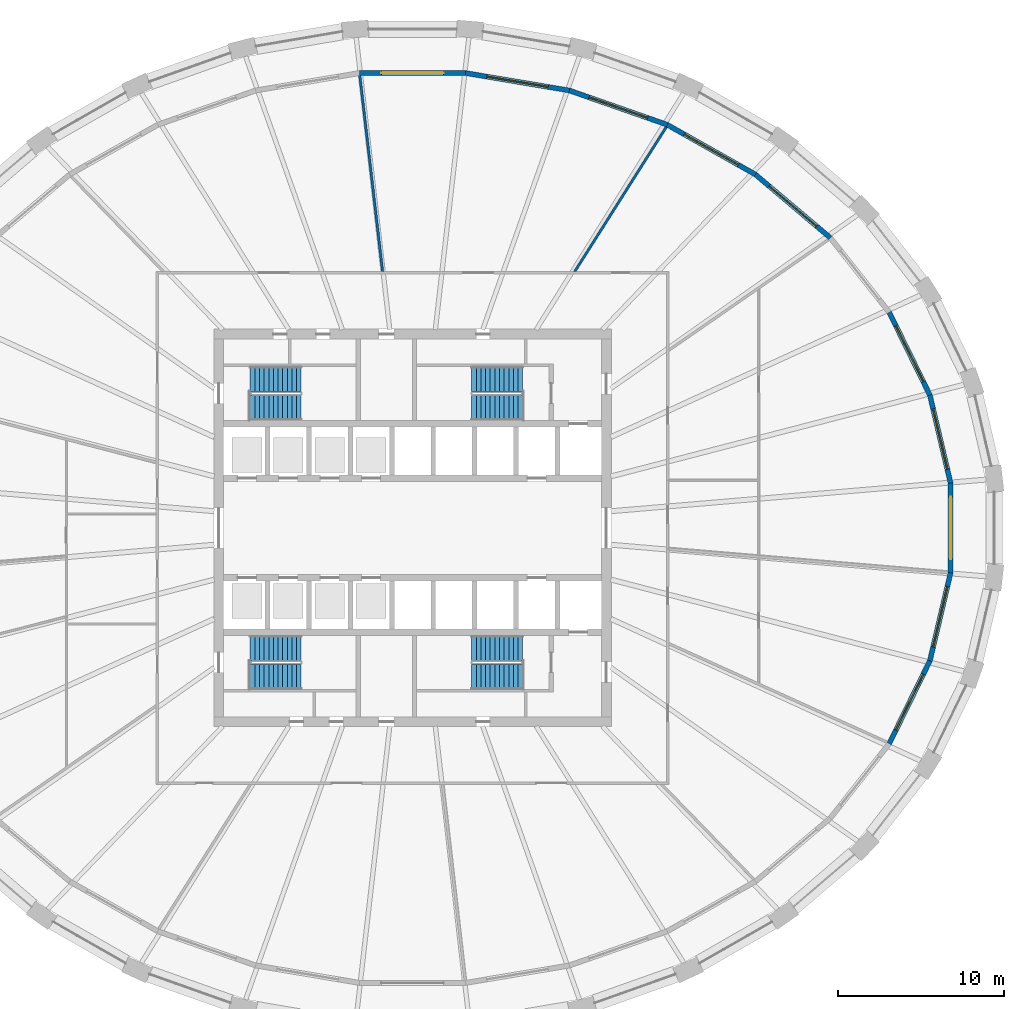
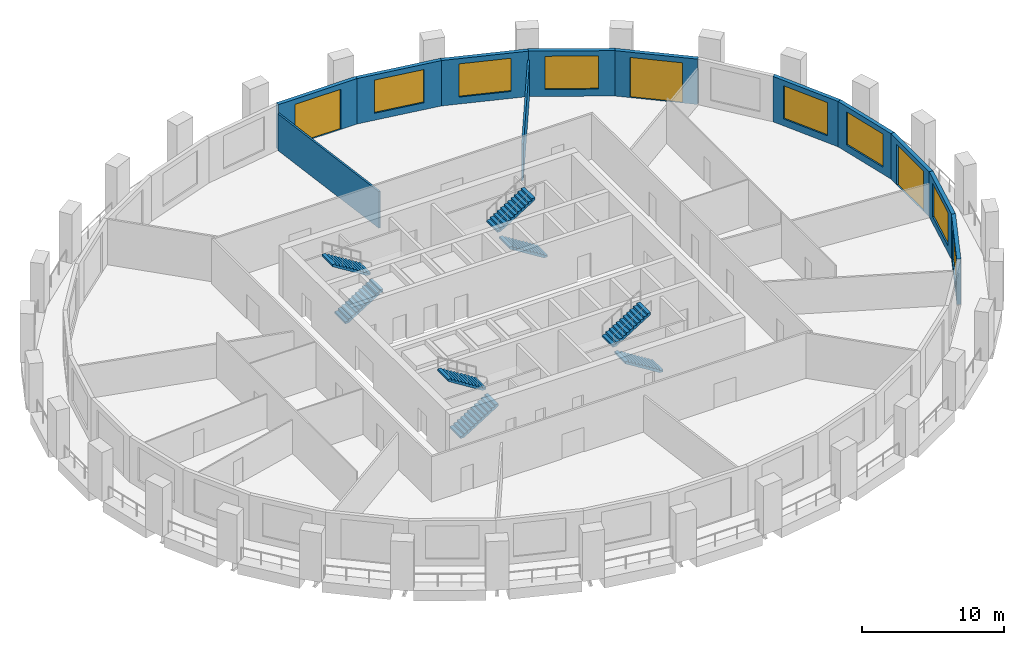
# One storey, part 7 of 10: 12 walls, 8 stair flights, 7 windows, 3 doors, 10 openings, 4 elements without a shape of their own.
"""IFC4 building model written with IfcOpenShell, lengths in metres."""

from ifc_helpers import new_model, si_unit, direction, frame, frame_2d, origin, place, context, subcontext, project, spatial, polyline, rectangle, outline, extrude, material, layer, layer_set, type_object, element, fill, aggregate, save


model = new_model("IFC4")

# Units and contexts
model_context = context("Model", 3, precision=1e-05, world=origin(), true_north=direction((0.0, 1.0)))
body_context = subcontext(model_context, "Body", "Model", "MODEL_VIEW")
ifc_project = project(units=[si_unit("LENGTHUNIT", "METRE"), si_unit("AREAUNIT", "SQUARE_METRE"), si_unit("VOLUMEUNIT", "CUBIC_METRE"), si_unit("PLANEANGLEUNIT", "RADIAN"), si_unit("MASSUNIT", "GRAM", prefix="KILO")], contexts=[model_context])

# Site, building, storey
site_placement = place(None, origin())
site = spatial("IfcSite", under=ifc_project, at=site_placement, CompositionType="ELEMENT")
building_placement = place(site_placement, origin())
building = spatial("IfcBuilding", under=site, at=building_placement, Name="Halqa Exchange Tower", CompositionType="ELEMENT")
storey_placement = place(building_placement, frame((0.0, 0.0, 108.699951171875)))
storey = spatial("IfcBuildingStorey", under=building, at=storey_placement, Name="L24", CompositionType="ELEMENT", Elevation=108.699951171875)

# Walls
ifc_material_1 = material(Name="Fire-rated gypsum board")
ifc_layer_1 = layer(ifc_material_1, 0.14990234375)
ifc_layer_set_1 = layer_set([ifc_layer_1], Name="Fire-rated gypsum board")
wall_type_1 = type_object("IfcWallType", Name="Fire partition EI 60 150", PredefinedType="PARTITIONING", material=ifc_layer_set_1)
wall_1_placement = place(storey_placement, frame((-1.8076171875, 15.466552734375, 0.0), z_axis=(0.0, 0.0, 1.0), x_axis=(-0.115425226741, 0.993316171736, 0.0)))
element("IfcWall", 1, at=wall_1_placement, inside=storey, type_object=wall_type_1, Name="L24-PWL-013", PredefinedType="PARTITIONING", context=body_context, shape_type="SweptSolid", body=[
    extrude(outline(polyline([(0.0, -0.074951171875), (1.98681640625, -0.074951171875), (3.973388671875, -0.074951171875), (5.960205078125, -0.074951171875), (7.947021484375, -0.074951171875), (9.93359375, -0.074951171875), (11.92041015625, -0.074951171875), (11.925048828125, -0.03466796875), (11.925048828125, 0.074951171875), (9.9404296875, 0.074951171875), (7.955810546875, 0.074951171875), (5.97119140625, 0.074951171875), (3.986572265625, 0.074951171875), (2.001953125, 0.074951171875), (0.017333984375, 0.074951171875), (0.0, -0.0732421875), (0.0, -0.074951171875)])), origin(), (0.0, 0.0, 1.0), 3.14697265625),
])
wall_2_placement = place(storey_placement, frame((9.76220703125, 15.43505859375, 0.0), z_axis=(0.0, 0.0, 1.0), x_axis=(0.535189090909, 0.844732287161, 0.0)))
element("IfcWall", 2, at=wall_2_placement, inside=storey, type_object=wall_type_1, Name="L24-PWL-015", PredefinedType="PARTITIONING", context=body_context, shape_type="SweptSolid", body=[
    extrude(outline(polyline([(10.3857421875, -0.074951171875), (10.3857421875, -0.0693359375), (10.382080078125, 0.003662109375), (10.365478515625, 0.074951171875), (8.637939453125, 0.074951171875), (6.910400390625, 0.074951171875), (5.182861328125, 0.074951171875), (3.455078125, 0.074951171875), (1.7275390625, 0.074951171875), (0.0, 0.074951171875), (0.0, 0.07470703125), (0.0947265625, -0.074951171875), (1.809814453125, -0.074951171875), (3.525146484375, -0.074951171875), (5.240234375, -0.074951171875), (6.955322265625, -0.074951171875), (8.670654296875, -0.074951171875), (10.3857421875, -0.074951171875)])), origin(), (0.0, 0.0, 1.0), 3.14697265625),
])

# Wall, opening, window
ifc_material_2 = material(Name="Limestone cladding", Category="masonry")
ifc_layer_2 = layer(ifc_material_2, 0.0400390625)
ifc_material_3 = material(Name="Ventilated cavity")
ifc_layer_3 = layer(ifc_material_3, 0.030029296875, ventilated=True)
ifc_material_4 = material(Name="Mineral wool insulation")
ifc_layer_4 = layer(ifc_material_4, 0.10009765625)
ifc_material_5 = material(Name="Concrete C30/37", Category="concrete")
ifc_layer_5 = layer(ifc_material_5, 0.10009765625)
ifc_material_6 = material(Name="Internal plaster")
ifc_layer_6 = layer(ifc_material_6, 0.030029296875)
ifc_layer_set_2 = layer_set([ifc_layer_2, ifc_layer_3, ifc_layer_4, ifc_layer_5, ifc_layer_6], Name="Stone-faced insulated wall 300")
wall_type_2 = type_object("IfcWallType", Name="Stone-faced insulated wall 300", PredefinedType="STANDARD", material=ifc_layer_set_2)
wall_3_placement = place(storey_placement, frame((32.483154296875, 2.707763671875, 0.0), z_axis=(0.0, 0.0, 1.0), x_axis=(-0.229193964616, 0.973380771632, 0.0)))
wall_3 = element("IfcWall", 3, at=wall_3_placement, inside=storey, type_object=wall_type_2, Name="Glass-line wall 1", PredefinedType="STANDARD", context=body_context, shape_type="SweptSolid", body=[
    extrude(outline(polyline([(-0.017333984375, -0.14990234375), (5.472900390625, -0.14990234375), (5.439208984375, 0.14990234375), (0.017333984375, 0.14990234375), (-0.017333984375, -0.14990234375)])), origin(), (0.0, 0.0, 1.0), 3.900146484375),
])
opening_1_placement = place(wall_3_placement, frame((0.85302734375, 0.0, 0.60009765625)))
opening_1 = element("IfcOpeningElement", 4, at=opening_1_placement, cuts=wall_3, Name="Opening W-F2-01", PredefinedType="OPENING", context=body_context, shape_type="SweptSolid", body=[
    extrude(rectangle(XDim=3.75, YDim=2.85009765625, at=frame_2d((1.875, 1.425048828125))), frame((0.0, 0.162109375, 0.0), z_axis=(0.0, -1.0, 0.0), x_axis=(1.0, 0.0, 0.0)), (0.0, 0.0, 1.0), 0.323974609375),
])
ifc_material_7 = material(Name="Clear low-emissivity glass in aluminium frame", Category="aluminium")
window_type = type_object("IfcWindowType", Name="Fixed clear glazed window 3750 x 2850", PartitioningType="TRIPLE_PANEL_VERTICAL", PredefinedType="WINDOW", material=ifc_material_7)
window_1_placement = place(opening_1_placement, origin())
window_1 = element("IfcWindow", 5, at=window_1_placement, inside=storey, type_object=window_type, Name="Window 2", OverallHeight=2.85009765625, OverallWidth=3.75, PartitioningType="TRIPLE_PANEL_VERTICAL", PredefinedType="WINDOW", context=body_context, shape_type="SweptSolid", body=[
    extrude(rectangle(XDim=3.75, YDim=2.85009765625, at=frame_2d((1.875, 1.425048828125))), frame((0.0, 0.030029296875, 0.0), z_axis=(0.0, -1.0, 0.0), x_axis=(1.0, 0.0, 0.0)), (0.0, 0.0, 1.0), 0.06005859375),
])
fill(opening_1, window_1)

wall_4_placement = place(storey_placement, frame((31.232666015625, 8.0185546875, 0.0), z_axis=(0.0, 0.0, 1.0), x_axis=(-0.440238988749, 0.897880633929, 0.0)))
wall_4 = element("IfcWall", 6, at=wall_4_placement, inside=storey, type_object=wall_type_2, Name="Glass-line wall 2", PredefinedType="STANDARD", context=body_context, shape_type="SweptSolid", body=[
    extrude(outline(polyline([(-0.016845703125, -0.14990234375), (5.585693359375, -0.14990234375), (5.553466796875, 0.14990234375), (0.016845703125, 0.14990234375), (-0.016845703125, -0.14990234375)])), origin(), (0.0, 0.0, 1.0), 3.900146484375),
])
opening_2_placement = place(wall_4_placement, frame((0.90966796875, 0.0, 0.60009765625)))
opening_2 = element("IfcOpeningElement", 7, at=opening_2_placement, cuts=wall_4, Name="Opening W-F2-02", PredefinedType="OPENING", context=body_context, shape_type="SweptSolid", body=[
    extrude(rectangle(XDim=3.75, YDim=2.85009765625, at=frame_2d((1.875, 1.425048828125))), frame((0.0, 0.162109375, 0.0), z_axis=(0.0, -1.0, 0.0), x_axis=(1.0, 0.0, 0.0)), (0.0, 0.0, 1.0), 0.323974609375),
])
window_2_placement = place(opening_2_placement, origin())
window_2 = element("IfcWindow", 8, at=window_2_placement, inside=storey, type_object=window_type, Name="Window 2", OverallHeight=2.85009765625, OverallWidth=3.75, PartitioningType="TRIPLE_PANEL_VERTICAL", PredefinedType="WINDOW", context=body_context, shape_type="SweptSolid", body=[
    extrude(rectangle(XDim=3.75, YDim=2.85009765625, at=frame_2d((1.875, 1.425048828125))), frame((0.0, 0.030029296875, 0.0), z_axis=(0.0, -1.0, 0.0), x_axis=(1.0, 0.0, 0.0)), (0.0, 0.0, 1.0), 0.06005859375),
])
fill(opening_2, window_2)

# Wall, opening, door
wall_5_placement = place(storey_placement, frame((25.222900390625, 17.517822265625, 0.0), z_axis=(0.0, 0.0, 1.0), x_axis=(-0.763894031266, 0.645341699409, 0.0)))
wall_5 = element("IfcWall", 9, at=wall_5_placement, inside=storey, type_object=wall_type_2, Name="Glass-line wall 4", PredefinedType="STANDARD", context=body_context, shape_type="SweptSolid", body=[
    extrude(outline(polyline([(-0.01513671875, -0.14990234375), (5.93896484375, -0.14990234375), (5.91064453125, 0.14990234375), (0.01513671875, 0.14990234375), (-0.01513671875, -0.14990234375)])), origin(), (0.0, 0.0, 1.0), 3.900146484375),
])
opening_3_placement = place(wall_5_placement, frame((1.08740234375, 0.0, 0.0)))
opening_3 = element("IfcOpeningElement", 10, at=opening_3_placement, cuts=wall_5, Name="Opening LG-F2-01", PredefinedType="OPENING", context=body_context, shape_type="SweptSolid", body=[
    extrude(rectangle(XDim=3.75, YDim=3.449951171875, at=frame_2d((1.875, 1.72509765625))), frame((0.0, 0.162109375, 0.0), z_axis=(0.0, -1.0, 0.0), x_axis=(1.0, 0.0, 0.0)), (0.0, 0.0, 1.0), 0.323974609375),
])
door_type = type_object("IfcDoorType", Name="Glazed sliding loggia door 3750 x 3450", OperationType="DOUBLE_DOOR_SLIDING", PredefinedType="DOOR", material=ifc_material_7)
door_1_placement = place(opening_3_placement, origin())
door_1 = element("IfcDoor", 11, at=door_1_placement, inside=storey, type_object=door_type, Name="Loggia door 1", OperationType="DOUBLE_DOOR_SLIDING", OverallHeight=3.449951171875, OverallWidth=3.75, PredefinedType="DOOR", context=body_context, shape_type="SweptSolid", body=[
    extrude(rectangle(XDim=3.75, YDim=3.449951171875, at=frame_2d((1.875, 1.72509765625))), frame((0.0, 0.02490234375, 0.0), z_axis=(0.0, -1.0, 0.0), x_axis=(1.0, 0.0, 0.0)), (0.0, 0.0, 1.0), 0.050048828125),
])
fill(opening_3, door_1)

# Wall, opening, window
wall_6_placement = place(storey_placement, frame((20.697021484375, 21.34130859375, 0.0), z_axis=(0.0, 0.0, 1.0), x_axis=(-0.870828448417, 0.491587035455, 0.0)))
wall_6 = element("IfcWall", 12, at=wall_6_placement, inside=storey, type_object=wall_type_2, Name="Glass-line wall 5", PredefinedType="STANDARD", context=body_context, shape_type="SweptSolid", body=[
    extrude(outline(polyline([(-0.01416015625, -0.14990234375), (6.1220703125, -0.14990234375), (6.09521484375, 0.14990234375), (0.01416015625, 0.14990234375), (-0.01416015625, -0.14990234375)])), origin(), (0.0, 0.0, 1.0), 3.900146484375),
])
opening_4_placement = place(wall_6_placement, frame((1.17919921875, 0.0, 0.60009765625)))
opening_4 = element("IfcOpeningElement", 13, at=opening_4_placement, cuts=wall_6, Name="Opening W-F2-05", PredefinedType="OPENING", context=body_context, shape_type="SweptSolid", body=[
    extrude(rectangle(XDim=3.75, YDim=2.85009765625, at=frame_2d((1.875, 1.425048828125))), frame((0.0, 0.162109375, 0.0), z_axis=(0.0, -1.0, 0.0), x_axis=(1.0, 0.0, 0.0)), (0.0, 0.0, 1.0), 0.323974609375),
])
window_3_placement = place(opening_4_placement, origin())
window_3 = element("IfcWindow", 14, at=window_3_placement, inside=storey, type_object=window_type, Name="Window 2", OverallHeight=2.85009765625, OverallWidth=3.75, PartitioningType="TRIPLE_PANEL_VERTICAL", PredefinedType="WINDOW", context=body_context, shape_type="SweptSolid", body=[
    extrude(rectangle(XDim=3.75, YDim=2.85009765625, at=frame_2d((1.875, 1.425048828125))), frame((0.0, 0.030029296875, 0.0), z_axis=(0.0, -1.0, 0.0), x_axis=(1.0, 0.0, 0.0)), (0.0, 0.0, 1.0), 0.06005859375),
])
fill(opening_4, window_3)

wall_7_placement = place(storey_placement, frame((15.37744140625, 24.34423828125, 0.0), z_axis=(0.0, 0.0, 1.0), x_axis=(-0.943866868202, 0.330326104193, 0.0)))
wall_7 = element("IfcWall", 15, at=wall_7_placement, inside=storey, type_object=wall_type_2, Name="Glass-line wall 6", PredefinedType="STANDARD", context=body_context, shape_type="SweptSolid", body=[
    extrude(outline(polyline([(-0.013427734375, -0.14990234375), (6.272705078125, -0.14990234375), (6.247314453125, 0.14990234375), (0.013427734375, 0.14990234375), (-0.013427734375, -0.14990234375)])), origin(), (0.0, 0.0, 1.0), 3.900146484375),
])
opening_5_placement = place(wall_7_placement, frame((1.255126953125, 0.0, 0.60009765625)))
opening_5 = element("IfcOpeningElement", 16, at=opening_5_placement, cuts=wall_7, Name="Opening W-F2-06", PredefinedType="OPENING", context=body_context, shape_type="SweptSolid", body=[
    extrude(rectangle(XDim=3.75, YDim=2.85009765625, at=frame_2d((1.875, 1.425048828125))), frame((0.0, 0.162109375, 0.0), z_axis=(0.0, -1.0, 0.0), x_axis=(1.0, 0.0, 0.0)), (0.0, 0.0, 1.0), 0.323974609375),
])
window_4_placement = place(opening_5_placement, origin())
window_4 = element("IfcWindow", 17, at=window_4_placement, inside=storey, type_object=window_type, Name="Window 2", OverallHeight=2.85009765625, OverallWidth=3.75, PartitioningType="TRIPLE_PANEL_VERTICAL", PredefinedType="WINDOW", context=body_context, shape_type="SweptSolid", body=[
    extrude(rectangle(XDim=3.75, YDim=2.85009765625, at=frame_2d((1.875, 1.425048828125))), frame((0.0, 0.030029296875, 0.0), z_axis=(0.0, -1.0, 0.0), x_axis=(1.0, 0.0, 0.0)), (0.0, 0.0, 1.0), 0.06005859375),
])
fill(opening_5, window_4)

wall_8_placement = place(storey_placement, frame((9.46875, 26.412109375, 0.0), z_axis=(0.0, 0.0, 1.0), x_axis=(-0.986178310488, 0.165687476666, 0.0)))
wall_8 = element("IfcWall", 18, at=wall_8_placement, inside=storey, type_object=wall_type_2, Name="Glass-line wall 7", PredefinedType="STANDARD", context=body_context, shape_type="SweptSolid", body=[
    extrude(outline(polyline([(-0.0126953125, -0.14990234375), (6.3720703125, -0.14990234375), (6.34716796875, 0.14990234375), (0.0126953125, 0.14990234375), (-0.0126953125, -0.14990234375)])), origin(), (0.0, 0.0, 1.0), 3.900146484375),
])
opening_6_placement = place(wall_8_placement, frame((1.3046875, 0.0, 0.60009765625)))
opening_6 = element("IfcOpeningElement", 19, at=opening_6_placement, cuts=wall_8, Name="Opening W-F2-07", PredefinedType="OPENING", context=body_context, shape_type="SweptSolid", body=[
    extrude(rectangle(XDim=3.75, YDim=2.85009765625, at=frame_2d((1.875, 1.425048828125))), frame((0.0, 0.162109375, 0.0), z_axis=(0.0, -1.0, 0.0), x_axis=(1.0, 0.0, 0.0)), (0.0, 0.0, 1.0), 0.323974609375),
])
window_5_placement = place(opening_6_placement, origin())
window_5 = element("IfcWindow", 20, at=window_5_placement, inside=storey, type_object=window_type, Name="Window 2", OverallHeight=2.85009765625, OverallWidth=3.75, PartitioningType="TRIPLE_PANEL_VERTICAL", PredefinedType="WINDOW", context=body_context, shape_type="SweptSolid", body=[
    extrude(rectangle(XDim=3.75, YDim=2.85009765625, at=frame_2d((1.875, 1.425048828125))), frame((0.0, 0.030029296875, 0.0), z_axis=(0.0, -1.0, 0.0), x_axis=(1.0, 0.0, 0.0)), (0.0, 0.0, 1.0), 0.06005859375),
])
fill(opening_6, window_5)

# Wall, opening, door
wall_9_placement = place(storey_placement, frame((3.197021484375, 27.4658203125, 0.0), z_axis=(0.0, 0.0, 1.0), x_axis=(-1.0, 0.0, 0.0)))
wall_9 = element("IfcWall", 21, at=wall_9_placement, inside=storey, type_object=wall_type_2, Name="Glass-line wall 8", PredefinedType="STANDARD", context=body_context, shape_type="SweptSolid", body=[
    extrude(outline(polyline([(-0.012451171875, -0.14990234375), (6.406494140625, -0.14990234375), (6.381591796875, 0.14990234375), (0.012451171875, 0.14990234375), (-0.012451171875, -0.14990234375)])), origin(), (0.0, 0.0, 1.0), 3.900146484375),
])
opening_7_placement = place(wall_9_placement, frame((1.322021484375, 0.0, 0.0)))
opening_7 = element("IfcOpeningElement", 22, at=opening_7_placement, cuts=wall_9, Name="Opening LG-F2-02", PredefinedType="OPENING", context=body_context, shape_type="SweptSolid", body=[
    extrude(rectangle(XDim=3.75, YDim=3.449951171875, at=frame_2d((1.875, 1.72509765625))), frame((0.0, 0.162109375, 0.0), z_axis=(0.0, -1.0, 0.0), x_axis=(1.0, 0.0, 0.0)), (0.0, 0.0, 1.0), 0.323974609375),
])
door_2_placement = place(opening_7_placement, origin())
door_2 = element("IfcDoor", 23, at=door_2_placement, inside=storey, type_object=door_type, Name="Loggia door 2", OperationType="DOUBLE_DOOR_SLIDING", OverallHeight=3.449951171875, OverallWidth=3.75, PredefinedType="DOOR", context=body_context, shape_type="SweptSolid", body=[
    extrude(rectangle(XDim=3.75, YDim=3.449951171875, at=frame_2d((1.875, 1.72509765625))), frame((0.0, 0.02490234375, 0.0), z_axis=(0.0, -1.0, 0.0), x_axis=(1.0, 0.0, 0.0)), (0.0, 0.0, 1.0), 0.050048828125),
])
fill(opening_7, door_2)

# Wall, opening, window
wall_10_placement = place(storey_placement, frame((28.78076171875, -13.019287109375, 0.0), z_axis=(0.0, 0.0, 1.0), x_axis=(0.440238988749, 0.897880633929, 0.0)))
wall_10 = element("IfcWall", 24, at=wall_10_placement, inside=storey, type_object=wall_type_2, Name="Glass-line wall 30", PredefinedType="STANDARD", context=body_context, shape_type="SweptSolid", body=[
    extrude(outline(polyline([(-0.01611328125, -0.14990234375), (5.58642578125, -0.14990234375), (5.552734375, 0.14990234375), (0.01611328125, 0.14990234375), (-0.01611328125, -0.14990234375)])), origin(), (0.0, 0.0, 1.0), 3.900146484375),
])
opening_8_placement = place(wall_10_placement, frame((0.90966796875, 0.0, 0.60009765625)))
opening_8 = element("IfcOpeningElement", 25, at=opening_8_placement, cuts=wall_10, Name="Opening W-F2-30", PredefinedType="OPENING", context=body_context, shape_type="SweptSolid", body=[
    extrude(rectangle(XDim=3.75, YDim=2.85009765625, at=frame_2d((1.875, 1.425048828125))), frame((0.0, 0.162109375, 0.0), z_axis=(0.0, -1.0, 0.0), x_axis=(1.0, 0.0, 0.0)), (0.0, 0.0, 1.0), 0.323974609375),
])
window_6_placement = place(opening_8_placement, origin())
window_6 = element("IfcWindow", 26, at=window_6_placement, inside=storey, type_object=window_type, Name="Window 2", OverallHeight=2.85009765625, OverallWidth=3.75, PartitioningType="TRIPLE_PANEL_VERTICAL", PredefinedType="WINDOW", context=body_context, shape_type="SweptSolid", body=[
    extrude(rectangle(XDim=3.75, YDim=2.85009765625, at=frame_2d((1.875, 1.425048828125))), frame((0.0, 0.030029296875, 0.0), z_axis=(0.0, -1.0, 0.0), x_axis=(1.0, 0.0, 0.0)), (0.0, 0.0, 1.0), 0.06005859375),
])
fill(opening_8, window_6)

wall_11_placement = place(storey_placement, frame((31.232666015625, -8.0185546875, 0.0), z_axis=(0.0, 0.0, 1.0), x_axis=(0.229193964616, 0.973380771632, 0.0)))
wall_11 = element("IfcWall", 27, at=wall_11_placement, inside=storey, type_object=wall_type_2, Name="Glass-line wall 31", PredefinedType="STANDARD", context=body_context, shape_type="SweptSolid", body=[
    extrude(outline(polyline([(-0.016845703125, -0.14990234375), (5.473388671875, -0.14990234375), (5.438720703125, 0.14990234375), (0.016845703125, 0.14990234375), (-0.016845703125, -0.14990234375)])), origin(), (0.0, 0.0, 1.0), 3.900146484375),
])
opening_9_placement = place(wall_11_placement, frame((0.85302734375, 0.0, 0.60009765625)))
opening_9 = element("IfcOpeningElement", 28, at=opening_9_placement, cuts=wall_11, Name="Opening W-F2-31", PredefinedType="OPENING", context=body_context, shape_type="SweptSolid", body=[
    extrude(rectangle(XDim=3.75, YDim=2.85009765625, at=frame_2d((1.875, 1.425048828125))), frame((0.0, 0.162109375, 0.0), z_axis=(0.0, -1.0, 0.0), x_axis=(1.0, 0.0, 0.0)), (0.0, 0.0, 1.0), 0.323974609375),
])
window_7_placement = place(opening_9_placement, origin())
window_7 = element("IfcWindow", 29, at=window_7_placement, inside=storey, type_object=window_type, Name="Window 2", OverallHeight=2.85009765625, OverallWidth=3.75, PartitioningType="TRIPLE_PANEL_VERTICAL", PredefinedType="WINDOW", context=body_context, shape_type="SweptSolid", body=[
    extrude(rectangle(XDim=3.75, YDim=2.85009765625, at=frame_2d((1.875, 1.425048828125))), frame((0.0, 0.030029296875, 0.0), z_axis=(0.0, -1.0, 0.0), x_axis=(1.0, 0.0, 0.0)), (0.0, 0.0, 1.0), 0.06005859375),
])
fill(opening_9, window_7)

# Wall, opening, door
wall_12_placement = place(storey_placement, frame((32.483154296875, -2.707763671875, 0.0), z_axis=(0.0, 0.0, 1.0), x_axis=(0.0, 1.0, 0.0)))
wall_12 = element("IfcWall", 30, at=wall_12_placement, inside=storey, type_object=wall_type_2, Name="Glass-line wall 32", PredefinedType="STANDARD", context=body_context, shape_type="SweptSolid", body=[
    extrude(outline(polyline([(-0.017333984375, -0.14990234375), (5.432861328125, -0.14990234375), (5.398193359375, 0.14990234375), (0.017333984375, 0.14990234375), (-0.017333984375, -0.14990234375)])), origin(), (0.0, 0.0, 1.0), 3.900146484375),
])
opening_10_placement = place(wall_12_placement, frame((0.832763671875, 0.0, 0.0)))
opening_10 = element("IfcOpeningElement", 31, at=opening_10_placement, cuts=wall_12, Name="Opening LG-F2-08", PredefinedType="OPENING", context=body_context, shape_type="SweptSolid", body=[
    extrude(rectangle(XDim=3.75, YDim=3.449951171875, at=frame_2d((1.875, 1.72509765625))), frame((0.0, 0.162109375, 0.0), z_axis=(0.0, -1.0, 0.0), x_axis=(1.0, 0.0, 0.0)), (0.0, 0.0, 1.0), 0.323974609375),
])
door_3_placement = place(opening_10_placement, origin())
door_3 = element("IfcDoor", 32, at=door_3_placement, inside=storey, type_object=door_type, Name="Loggia door 8", OperationType="DOUBLE_DOOR_SLIDING", OverallHeight=3.449951171875, OverallWidth=3.75, PredefinedType="DOOR", context=body_context, shape_type="SweptSolid", body=[
    extrude(rectangle(XDim=3.75, YDim=3.449951171875, at=frame_2d((1.875, 1.72509765625))), frame((0.0, 0.02490234375, 0.0), z_axis=(0.0, -1.0, 0.0), x_axis=(1.0, 0.0, 0.0)), (0.0, 0.0, 1.0), 0.050048828125),
])
fill(opening_10, door_3)

# Stair, stair flights
stair_type = type_object("IfcStairType", Name="Exit stair 1500 wide", PredefinedType="HALF_TURN_STAIR", material=ifc_material_5)
stair_1_placement = place(storey_placement, origin())
stair_1 = element("IfcStair", 33, at=stair_1_placement, inside=storey, type_object=stair_type, Name="Exit stair ST1", PredefinedType="HALF_TURN_STAIR")
stair_flight_type = type_object("IfcStairFlightType", Name="Stair flight 1500 wide", PredefinedType="STRAIGHT", material=ifc_material_5)
stair_flight_1_placement = place(storey_placement, frame((-9.800048828125, 7.25, 0.0), z_axis=(0.0, 0.0, 1.0), x_axis=(1.0, 0.0, 0.0)))
stair_flight_1 = element("IfcStairFlight", 34, at=stair_flight_1_placement, type_object=stair_flight_type, Name="ST1 flight 1", NumberOfRisers=12, NumberOfTreads=11, PredefinedType="STRAIGHT", RiserHeight=0.175, TreadLength=0.28, context=body_context, shape_type="SweptSolid", body=[
    extrude(outline(polyline([(0.0, 0.0), (0.0, 0.175048828125), (0.280029296875, 0.175048828125), (0.280029296875, 0.35009765625), (0.56005859375, 0.35009765625), (0.56005859375, 0.52490234375), (0.840087890625, 0.52490234375), (0.840087890625, 0.699951171875), (1.1201171875, 0.699951171875), (1.1201171875, 0.875), (1.39990234375, 0.875), (1.39990234375, 1.050048828125), (1.679931640625, 1.050048828125), (1.679931640625, 1.22509765625), (1.9599609375, 1.22509765625), (1.9599609375, 1.39990234375), (2.239990234375, 1.39990234375), (2.239990234375, 1.574951171875), (2.52001953125, 1.574951171875), (2.52001953125, 1.75), (2.800048828125, 1.75), (2.800048828125, 1.925048828125), (3.080078125, 1.925048828125), (3.080078125, 2.10009765625), (3.080078125, 1.748291015625), (0.28271484375, 0.0), (0.0, 0.0)])), frame((0.0, 0.75, 0.0), z_axis=(0.0, -1.0, 0.0), x_axis=(1.0, 0.0, 0.0)), (0.0, 0.0, 1.0), 1.5),
])
stair_flight_2_placement = place(storey_placement, frame((-6.719970703125, 9.0, 2.10009765625), z_axis=(0.0, 0.0, 1.0), x_axis=(-1.0, 0.0, 0.0)))
stair_flight_2 = element("IfcStairFlight", 35, at=stair_flight_2_placement, type_object=stair_flight_type, Name="ST1 flight 2", NumberOfRisers=12, NumberOfTreads=11, PredefinedType="STRAIGHT", RiserHeight=0.175, TreadLength=0.28, context=body_context, shape_type="SweptSolid", body=[
    extrude(outline(polyline([(0.0, 0.0), (0.0, 0.175048828125), (0.280029296875, 0.175048828125), (0.280029296875, 0.35009765625), (0.56005859375, 0.35009765625), (0.56005859375, 0.52490234375), (0.840087890625, 0.52490234375), (0.840087890625, 0.699951171875), (1.1201171875, 0.699951171875), (1.1201171875, 0.875), (1.39990234375, 0.875), (1.39990234375, 1.050048828125), (1.679931640625, 1.050048828125), (1.679931640625, 1.22509765625), (1.9599609375, 1.22509765625), (1.9599609375, 1.39990234375), (2.239990234375, 1.39990234375), (2.239990234375, 1.574951171875), (2.52001953125, 1.574951171875), (2.52001953125, 1.75), (2.800048828125, 1.75), (2.800048828125, 1.925048828125), (3.080078125, 1.925048828125), (3.080078125, 2.10009765625), (3.080078125, 1.748291015625), (0.28271484375, 0.0), (0.0, 0.0)])), frame((0.0, 0.75, 0.0), z_axis=(0.0, -1.0, 0.0), x_axis=(1.0, 0.0, 0.0)), (0.0, 0.0, 1.0), 1.5),
])
aggregate(stair_1, [stair_flight_1, stair_flight_2])

stair_2_placement = place(storey_placement, origin())
stair_2 = element("IfcStair", 36, at=stair_2_placement, inside=storey, type_object=stair_type, Name="Exit stair ST2", PredefinedType="HALF_TURN_STAIR")
stair_flight_3_placement = place(storey_placement, frame((6.64990234375, 7.25, 0.0), z_axis=(0.0, 0.0, 1.0), x_axis=(-1.0, 0.0, 0.0)))
stair_flight_3 = element("IfcStairFlight", 37, at=stair_flight_3_placement, type_object=stair_flight_type, Name="ST2 flight 1", NumberOfRisers=12, NumberOfTreads=11, PredefinedType="STRAIGHT", RiserHeight=0.175, TreadLength=0.28, context=body_context, shape_type="SweptSolid", body=[
    extrude(outline(polyline([(0.0, 0.0), (0.0, 0.175048828125), (0.280029296875, 0.175048828125), (0.280029296875, 0.35009765625), (0.56005859375, 0.35009765625), (0.56005859375, 0.52490234375), (0.840087890625, 0.52490234375), (0.840087890625, 0.699951171875), (1.1201171875, 0.699951171875), (1.1201171875, 0.875), (1.39990234375, 0.875), (1.39990234375, 1.050048828125), (1.679931640625, 1.050048828125), (1.679931640625, 1.22509765625), (1.9599609375, 1.22509765625), (1.9599609375, 1.39990234375), (2.239990234375, 1.39990234375), (2.239990234375, 1.574951171875), (2.52001953125, 1.574951171875), (2.52001953125, 1.75), (2.800048828125, 1.75), (2.800048828125, 1.925048828125), (3.080078125, 1.925048828125), (3.080078125, 2.10009765625), (3.080078125, 1.748291015625), (0.28271484375, 0.0), (0.0, 0.0)])), frame((0.0, 0.75, 0.0), z_axis=(0.0, -1.0, 0.0), x_axis=(1.0, 0.0, 0.0)), (0.0, 0.0, 1.0), 1.5),
])
stair_flight_4_placement = place(storey_placement, frame((3.570068359375, 9.0, 2.10009765625), z_axis=(0.0, 0.0, 1.0), x_axis=(1.0, 0.0, 0.0)))
stair_flight_4 = element("IfcStairFlight", 38, at=stair_flight_4_placement, type_object=stair_flight_type, Name="ST2 flight 2", NumberOfRisers=12, NumberOfTreads=11, PredefinedType="STRAIGHT", RiserHeight=0.175, TreadLength=0.28, context=body_context, shape_type="SweptSolid", body=[
    extrude(outline(polyline([(0.0, 0.0), (0.0, 0.175048828125), (0.280029296875, 0.175048828125), (0.280029296875, 0.35009765625), (0.56005859375, 0.35009765625), (0.56005859375, 0.52490234375), (0.840087890625, 0.52490234375), (0.840087890625, 0.699951171875), (1.1201171875, 0.699951171875), (1.1201171875, 0.875), (1.39990234375, 0.875), (1.39990234375, 1.050048828125), (1.679931640625, 1.050048828125), (1.679931640625, 1.22509765625), (1.9599609375, 1.22509765625), (1.9599609375, 1.39990234375), (2.239990234375, 1.39990234375), (2.239990234375, 1.574951171875), (2.52001953125, 1.574951171875), (2.52001953125, 1.75), (2.800048828125, 1.75), (2.800048828125, 1.925048828125), (3.080078125, 1.925048828125), (3.080078125, 2.10009765625), (3.080078125, 1.748291015625), (0.28271484375, 0.0), (0.0, 0.0)])), frame((0.0, 0.75, 0.0), z_axis=(0.0, -1.0, 0.0), x_axis=(1.0, 0.0, 0.0)), (0.0, 0.0, 1.0), 1.5),
])
aggregate(stair_2, [stair_flight_3, stair_flight_4])

stair_3_placement = place(storey_placement, origin())
stair_3 = element("IfcStair", 39, at=stair_3_placement, inside=storey, type_object=stair_type, Name="Exit stair ST3", PredefinedType="HALF_TURN_STAIR")
stair_flight_5_placement = place(storey_placement, frame((-9.800048828125, -9.0, 0.0), z_axis=(0.0, 0.0, 1.0), x_axis=(1.0, 0.0, 0.0)))
stair_flight_5 = element("IfcStairFlight", 40, at=stair_flight_5_placement, type_object=stair_flight_type, Name="ST3 flight 1", NumberOfRisers=12, NumberOfTreads=11, PredefinedType="STRAIGHT", RiserHeight=0.175, TreadLength=0.28, context=body_context, shape_type="SweptSolid", body=[
    extrude(outline(polyline([(0.0, 0.0), (0.0, 0.175048828125), (0.280029296875, 0.175048828125), (0.280029296875, 0.35009765625), (0.56005859375, 0.35009765625), (0.56005859375, 0.52490234375), (0.840087890625, 0.52490234375), (0.840087890625, 0.699951171875), (1.1201171875, 0.699951171875), (1.1201171875, 0.875), (1.39990234375, 0.875), (1.39990234375, 1.050048828125), (1.679931640625, 1.050048828125), (1.679931640625, 1.22509765625), (1.9599609375, 1.22509765625), (1.9599609375, 1.39990234375), (2.239990234375, 1.39990234375), (2.239990234375, 1.574951171875), (2.52001953125, 1.574951171875), (2.52001953125, 1.75), (2.800048828125, 1.75), (2.800048828125, 1.925048828125), (3.080078125, 1.925048828125), (3.080078125, 2.10009765625), (3.080078125, 1.748291015625), (0.28271484375, 0.0), (0.0, 0.0)])), frame((0.0, 0.75, 0.0), z_axis=(0.0, -1.0, 0.0), x_axis=(1.0, 0.0, 0.0)), (0.0, 0.0, 1.0), 1.5),
])
stair_flight_6_placement = place(storey_placement, frame((-6.719970703125, -7.25, 2.10009765625), z_axis=(0.0, 0.0, 1.0), x_axis=(-1.0, 0.0, 0.0)))
stair_flight_6 = element("IfcStairFlight", 41, at=stair_flight_6_placement, type_object=stair_flight_type, Name="ST3 flight 2", NumberOfRisers=12, NumberOfTreads=11, PredefinedType="STRAIGHT", RiserHeight=0.175, TreadLength=0.28, context=body_context, shape_type="SweptSolid", body=[
    extrude(outline(polyline([(0.0, 0.0), (0.0, 0.175048828125), (0.280029296875, 0.175048828125), (0.280029296875, 0.35009765625), (0.56005859375, 0.35009765625), (0.56005859375, 0.52490234375), (0.840087890625, 0.52490234375), (0.840087890625, 0.699951171875), (1.1201171875, 0.699951171875), (1.1201171875, 0.875), (1.39990234375, 0.875), (1.39990234375, 1.050048828125), (1.679931640625, 1.050048828125), (1.679931640625, 1.22509765625), (1.9599609375, 1.22509765625), (1.9599609375, 1.39990234375), (2.239990234375, 1.39990234375), (2.239990234375, 1.574951171875), (2.52001953125, 1.574951171875), (2.52001953125, 1.75), (2.800048828125, 1.75), (2.800048828125, 1.925048828125), (3.080078125, 1.925048828125), (3.080078125, 2.10009765625), (3.080078125, 1.748291015625), (0.28271484375, 0.0), (0.0, 0.0)])), frame((0.0, 0.75, 0.0), z_axis=(0.0, -1.0, 0.0), x_axis=(1.0, 0.0, 0.0)), (0.0, 0.0, 1.0), 1.5),
])
aggregate(stair_3, [stair_flight_5, stair_flight_6])

stair_4_placement = place(storey_placement, origin())
stair_4 = element("IfcStair", 42, at=stair_4_placement, inside=storey, type_object=stair_type, Name="Exit stair ST4", PredefinedType="HALF_TURN_STAIR")
stair_flight_7_placement = place(storey_placement, frame((6.64990234375, -9.0, 0.0), z_axis=(0.0, 0.0, 1.0), x_axis=(-1.0, 0.0, 0.0)))
stair_flight_7 = element("IfcStairFlight", 43, at=stair_flight_7_placement, type_object=stair_flight_type, Name="ST4 flight 1", NumberOfRisers=12, NumberOfTreads=11, PredefinedType="STRAIGHT", RiserHeight=0.175, TreadLength=0.28, context=body_context, shape_type="SweptSolid", body=[
    extrude(outline(polyline([(0.0, 0.0), (0.0, 0.175048828125), (0.280029296875, 0.175048828125), (0.280029296875, 0.35009765625), (0.56005859375, 0.35009765625), (0.56005859375, 0.52490234375), (0.840087890625, 0.52490234375), (0.840087890625, 0.699951171875), (1.1201171875, 0.699951171875), (1.1201171875, 0.875), (1.39990234375, 0.875), (1.39990234375, 1.050048828125), (1.679931640625, 1.050048828125), (1.679931640625, 1.22509765625), (1.9599609375, 1.22509765625), (1.9599609375, 1.39990234375), (2.239990234375, 1.39990234375), (2.239990234375, 1.574951171875), (2.52001953125, 1.574951171875), (2.52001953125, 1.75), (2.800048828125, 1.75), (2.800048828125, 1.925048828125), (3.080078125, 1.925048828125), (3.080078125, 2.10009765625), (3.080078125, 1.748291015625), (0.28271484375, 0.0), (0.0, 0.0)])), frame((0.0, 0.75, 0.0), z_axis=(0.0, -1.0, 0.0), x_axis=(1.0, 0.0, 0.0)), (0.0, 0.0, 1.0), 1.5),
])
stair_flight_8_placement = place(storey_placement, frame((3.570068359375, -7.25, 2.10009765625), z_axis=(0.0, 0.0, 1.0), x_axis=(1.0, 0.0, 0.0)))
stair_flight_8 = element("IfcStairFlight", 44, at=stair_flight_8_placement, type_object=stair_flight_type, Name="ST4 flight 2", NumberOfRisers=12, NumberOfTreads=11, PredefinedType="STRAIGHT", RiserHeight=0.175, TreadLength=0.28, context=body_context, shape_type="SweptSolid", body=[
    extrude(outline(polyline([(0.0, 0.0), (0.0, 0.175048828125), (0.280029296875, 0.175048828125), (0.280029296875, 0.35009765625), (0.56005859375, 0.35009765625), (0.56005859375, 0.52490234375), (0.840087890625, 0.52490234375), (0.840087890625, 0.699951171875), (1.1201171875, 0.699951171875), (1.1201171875, 0.875), (1.39990234375, 0.875), (1.39990234375, 1.050048828125), (1.679931640625, 1.050048828125), (1.679931640625, 1.22509765625), (1.9599609375, 1.22509765625), (1.9599609375, 1.39990234375), (2.239990234375, 1.39990234375), (2.239990234375, 1.574951171875), (2.52001953125, 1.574951171875), (2.52001953125, 1.75), (2.800048828125, 1.75), (2.800048828125, 1.925048828125), (3.080078125, 1.925048828125), (3.080078125, 2.10009765625), (3.080078125, 1.748291015625), (0.28271484375, 0.0), (0.0, 0.0)])), frame((0.0, 0.75, 0.0), z_axis=(0.0, -1.0, 0.0), x_axis=(1.0, 0.0, 0.0)), (0.0, 0.0, 1.0), 1.5),
])
aggregate(stair_4, [stair_flight_7, stair_flight_8])

save(model, "model.ifc")
